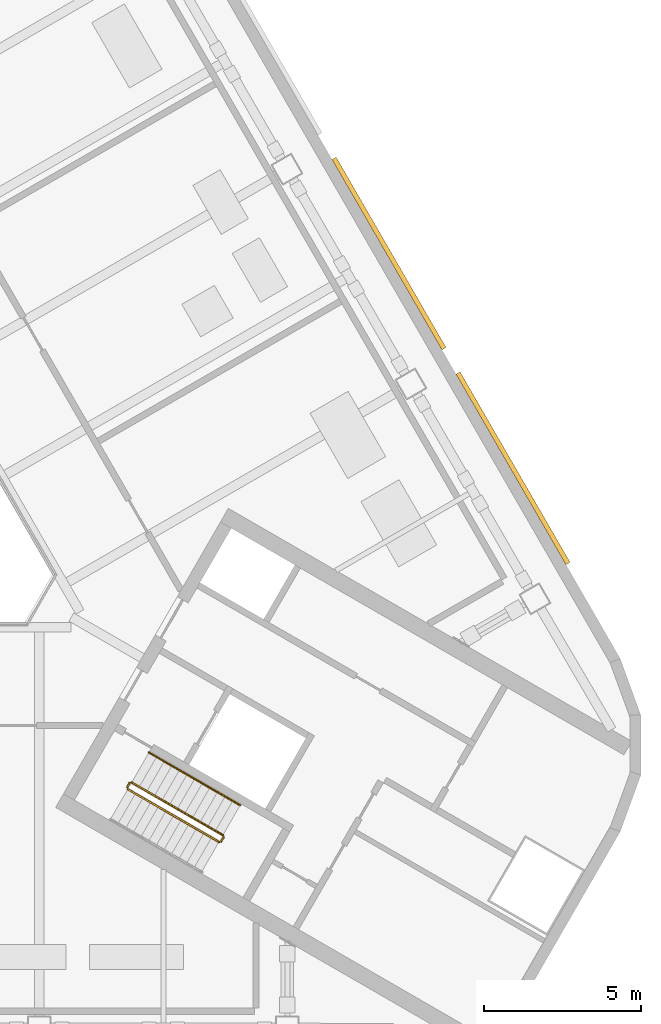
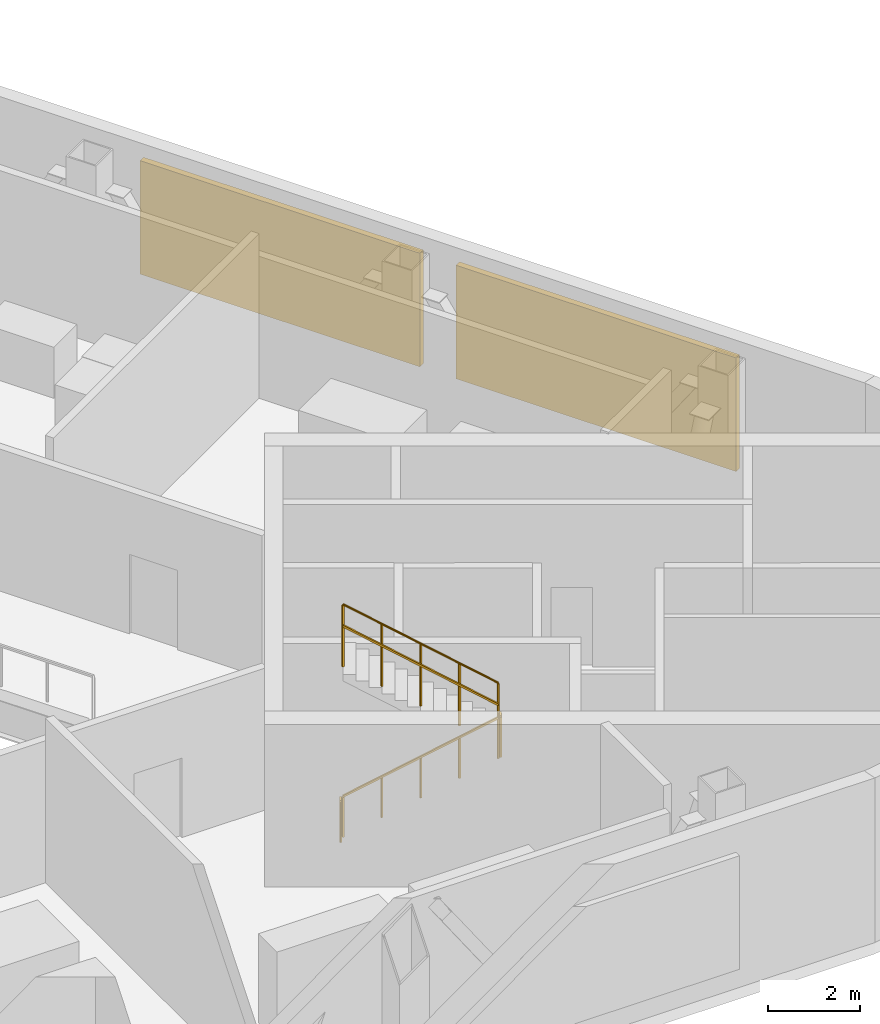
# One storey, part 12 of 14: 5 railings, 2 shading devices.
"""IFC4 building model written with IfcOpenShell, lengths in metres."""

from ifc_helpers import new_model, si_unit, direction, frame, origin, origin_2d, place, context, subcontext, project, spatial, rectangle, circle, extrude, material, type_object, element, save


model = new_model("IFC4")

# Units and contexts
model_context = context("Model", 3, precision=1e-05, world=origin(), true_north=direction((0.0, 1.0)))
body_context = subcontext(model_context, "Body", "Model", "MODEL_VIEW")
ifc_project = project(units=[si_unit("LENGTHUNIT", "METRE"), si_unit("AREAUNIT", "SQUARE_METRE"), si_unit("VOLUMEUNIT", "CUBIC_METRE"), si_unit("PLANEANGLEUNIT", "RADIAN"), si_unit("MASSUNIT", "GRAM", prefix="KILO")], contexts=[model_context])

# Site, building, storey
site_placement = place(None, origin())
site = spatial("IfcSite", under=ifc_project, at=site_placement, CompositionType="ELEMENT")
building_placement = place(site_placement, origin())
building = spatial("IfcBuilding", under=site, at=building_placement, Name="Apuvela Tower Hotel", CompositionType="ELEMENT")
storey_placement = place(building_placement, frame((0.0, 0.0, 242.199951171875)))
storey = spatial("IfcBuildingStorey", under=building, at=storey_placement, Name="L59 Plant", CompositionType="ELEMENT", Elevation=242.199951171875)

# Railings
ifc_material_1 = material(Name="Steel S275 balustrade", Category="steel")
railing_type_1 = type_object("IfcRailingType", Name="COR-GUARD-1100", PredefinedType="GUARDRAIL", material=ifc_material_1)
railing_1_placement = place(storey_placement, frame((10.718994140625, -10.63427734375, 0.173095703125)))
element("IfcRailing", 1, at=railing_1_placement, inside=storey, type_object=railing_type_1, Name="L59 Plant ST3 stair guard 1", PredefinedType="GUARDRAIL", context=body_context, shape_type="SweptSolid", body=[
    extrude(rectangle(XDim=0.048095703125, YDim=0.048095703125, at=origin_2d()), frame((0.0, 0.0, 1.076171875), z_axis=(0.736667954249, -0.425288379326, 0.525785240943), x_axis=(0.499976138585, 0.866039179741, 0.0)), (0.0, 0.0, 1.0), 3.9501953125),
    extrude(rectangle(XDim=0.0419921875, YDim=0.0419921875, at=origin_2d()), origin(), (0.0, 0.0, 1.0), 1.052001953125),
    extrude(rectangle(XDim=0.0419921875, YDim=0.0419921875, at=origin_2d()), frame((0.7275390625, -0.419921875, 0.519287109375)), (0.0, 0.0, 1.0), 1.052001953125),
    extrude(rectangle(XDim=0.0419921875, YDim=0.0419921875, at=origin_2d()), frame((1.455078125, -0.83984375, 1.03857421875)), (0.0, 0.0, 1.0), 1.052001953125),
    extrude(rectangle(XDim=0.0419921875, YDim=0.0419921875, at=origin_2d()), frame((2.182373046875, -1.260009765625, 1.5576171875)), (0.0, 0.0, 1.0), 1.052001953125),
    extrude(rectangle(XDim=0.0419921875, YDim=0.0419921875, at=origin_2d()), frame((2.909912109375, -1.679931640625, 2.076904296875)), (0.0, 0.0, 1.0), 1.052001953125),
])
railing_2_placement = place(storey_placement, frame((13.697021484375, -12.2958984375, 2.25)))
element("IfcRailing", 2, at=railing_2_placement, inside=storey, type_object=railing_type_1, Name="L59 Plant ST3 stair guard 2", PredefinedType="GUARDRAIL", context=body_context, shape_type="SweptSolid", body=[
    extrude(rectangle(XDim=0.048095703125, YDim=0.048095703125, at=origin_2d()), frame((0.0, 0.0, 1.076171875), z_axis=(0.501036270542, 0.865426285481, 0.0), x_axis=(-0.865426285481, 0.501036270542, 0.0)), (0.0, 0.0, 1.0), 0.150146484375),
    extrude(rectangle(XDim=0.0419921875, YDim=0.0419921875, at=origin_2d()), origin(), (0.0, 0.0, 1.0), 1.052001953125),
    extrude(rectangle(XDim=0.0419921875, YDim=0.0419921875, at=origin_2d()), frame((0.0751953125, 0.1298828125, 0.0)), (0.0, 0.0, 1.0), 1.052001953125),
])
railing_3_placement = place(storey_placement, frame((13.75390625, -12.09765625, 2.423095703125)))
element("IfcRailing", 3, at=railing_3_placement, inside=storey, type_object=railing_type_1, Name="L59 Plant ST3 stair guard 3", PredefinedType="GUARDRAIL", context=body_context, shape_type="SweptSolid", body=[
    extrude(rectangle(XDim=0.048095703125, YDim=0.048095703125, at=origin_2d()), frame((0.0, 0.0, 1.076171875), z_axis=(-0.736667954249, 0.425288379326, 0.525785240943), x_axis=(-0.499976138585, -0.866039179741, 0.0)), (0.0, 0.0, 1.0), 3.9501953125),
    extrude(rectangle(XDim=0.0419921875, YDim=0.0419921875, at=origin_2d()), origin(), (0.0, 0.0, 1.0), 1.052001953125),
    extrude(rectangle(XDim=0.0419921875, YDim=0.0419921875, at=origin_2d()), frame((-0.7275390625, 0.419921875, 0.519287109375)), (0.0, 0.0, 1.0), 1.052001953125),
    extrude(rectangle(XDim=0.0419921875, YDim=0.0419921875, at=origin_2d()), frame((-1.455078125, 0.83984375, 1.03857421875)), (0.0, 0.0, 1.0), 1.052001953125),
    extrude(rectangle(XDim=0.0419921875, YDim=0.0419921875, at=origin_2d()), frame((-2.182373046875, 1.260009765625, 1.5576171875)), (0.0, 0.0, 1.0), 1.052001953125),
    extrude(rectangle(XDim=0.0419921875, YDim=0.0419921875, at=origin_2d()), frame((-2.909912109375, 1.679931640625, 2.076904296875)), (0.0, 0.0, 1.0), 1.052001953125),
])
railing_4_placement = place(storey_placement, frame((10.70068359375, -10.56591796875, 0.0)))
element("IfcRailing", 4, at=railing_4_placement, inside=storey, type_object=railing_type_1, Name="L59 Plant ST3 stair guard 4", PredefinedType="GUARDRAIL", context=body_context, shape_type="SweptSolid", body=[
    extrude(rectangle(XDim=0.048095703125, YDim=0.048095703125, at=origin_2d()), frame((0.0, 0.0, 1.076171875), z_axis=(0.499816412211, 0.866131372301, 0.0), x_axis=(-0.866131372301, 0.499816412211, 0.0)), (0.0, 0.0, 1.0), 0.14990234375),
    extrude(rectangle(XDim=0.0419921875, YDim=0.0419921875, at=origin_2d()), origin(), (0.0, 0.0, 1.0), 1.052001953125),
    extrude(rectangle(XDim=0.0419921875, YDim=0.0419921875, at=origin_2d()), frame((0.074951171875, 0.1298828125, 0.0)), (0.0, 0.0, 1.0), 1.052001953125),
])
ifc_material_2 = material(Name="Stainless steel 316 handrail", Category="steel")
railing_type_2 = type_object("IfcRailingType", Name="COR-HANDRAIL-900", PredefinedType="HANDRAIL", material=ifc_material_2)
railing_5_placement = place(storey_placement, frame((14.3037109375, -11.14501953125, 2.423095703125)))
element("IfcRailing", 5, at=railing_5_placement, inside=storey, type_object=railing_type_2, Name="L59 Plant ST3 stair handrail 2", PredefinedType="HANDRAIL", context=body_context, shape_type="SweptSolid", body=[
    extrude(circle(Radius=0.02392578125, at=origin_2d()), frame((0.0, 0.0, 0.8759765625), z_axis=(-0.736639687092, 0.425307743487, 0.525809180911), x_axis=(-0.500007602105, -0.866021014662, 0.0)), (0.0, 0.0, 1.0), 3.949951171875),
    extrude(rectangle(XDim=0.0419921875, YDim=0.0419921875, at=origin_2d()), origin(), (0.0, 0.0, 1.0), 0.851806640625),
    extrude(rectangle(XDim=0.0419921875, YDim=0.0419921875, at=origin_2d()), frame((-0.7275390625, 0.419921875, 0.519287109375)), (0.0, 0.0, 1.0), 0.851806640625),
    extrude(rectangle(XDim=0.0419921875, YDim=0.0419921875, at=origin_2d()), frame((-1.454833984375, 0.83984375, 1.03857421875)), (0.0, 0.0, 1.0), 0.851806640625),
    extrude(rectangle(XDim=0.0419921875, YDim=0.0419921875, at=origin_2d()), frame((-2.18212890625, 1.260009765625, 1.5576171875)), (0.0, 0.0, 1.0), 0.851806640625),
    extrude(rectangle(XDim=0.0419921875, YDim=0.0419921875, at=origin_2d()), frame((-2.90966796875, 1.679931640625, 2.076904296875)), (0.0, 0.0, 1.0), 0.851806640625),
])

# Shading devices
ifc_material_3 = material(Name="Aluminium 6063-T6, black anodised louvre blades", Category="aluminium")
shading_device_type = type_object("IfcShadingDeviceType", Name="ENV-LOUVRE-SCREEN", PredefinedType="USERDEFINED", material=ifc_material_3)
for number, where, z_axis, x_axis, name in (
    (6, (22.989990234375, -0.409912109375, 0.60009765625), (0.0, 0.0, 1.0), (-0.5, 0.866025403784, 0.0), "Plant louvre NE5"),
    (7, (19.0400390625, 6.431640625, 0.60009765625), (0.0, 0.0, 1.0), (-0.5, 0.866025403784, 0.0), "Plant louvre NE6"),
):
    element("IfcShadingDevice", number, at=place(storey_placement, frame(where, z_axis=z_axis, x_axis=x_axis)), inside=storey, type_object=shading_device_type, Name=name, ObjectType="LOUVRE", PredefinedType="USERDEFINED", context=body_context, shape_type="SweptSolid", body=[
        extrude(rectangle(XDim=7.0, YDim=0.14990234375, at=origin_2d()), origin(), (0.0, 0.0, 1.0), 3.0),
    ])

save(model, "model.ifc")
